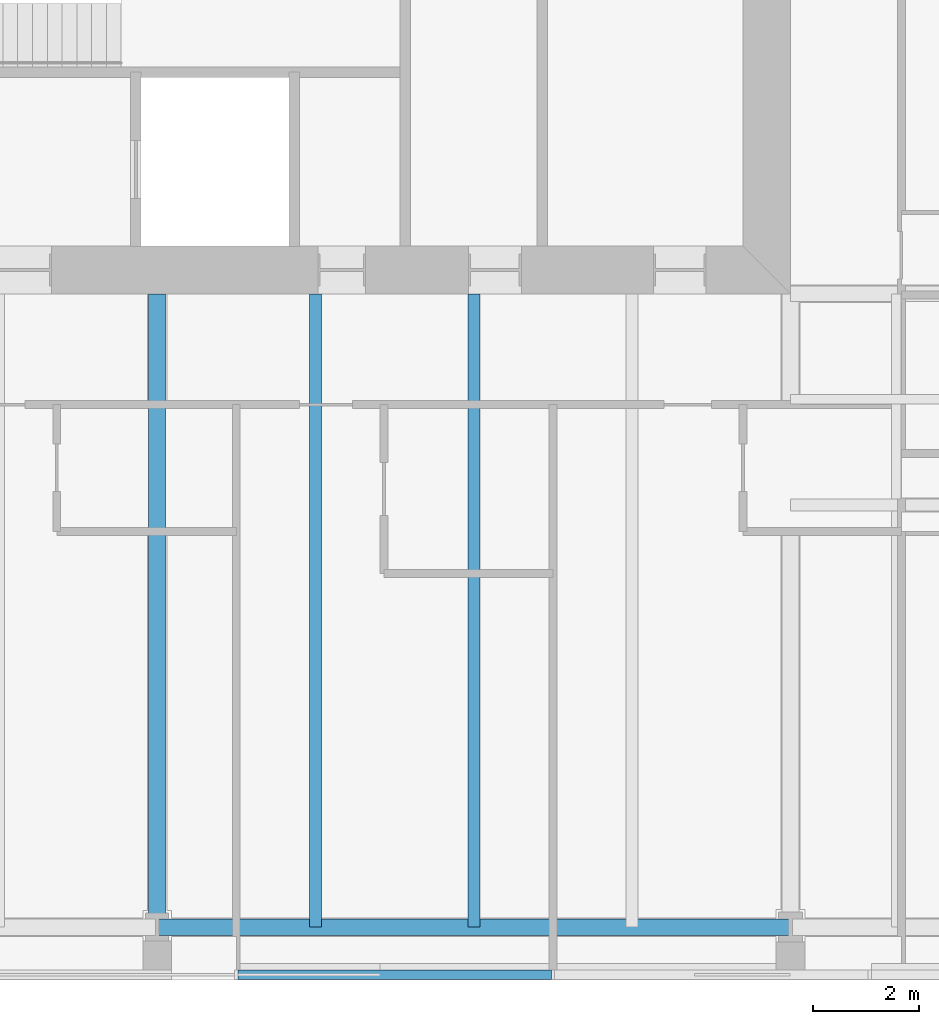
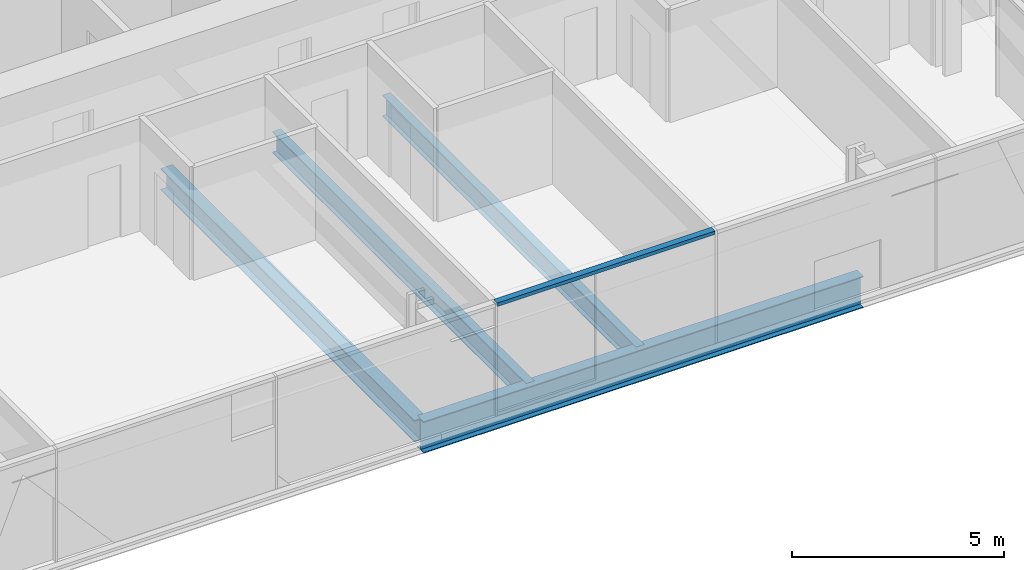
# One storey, part 3 of 18: 4 beams, 1 member, 1 element without a shape of its own.
"""IFC4 building model written with IfcOpenShell, lengths in metres."""

from ifc_helpers import new_model, si_unit, direction, frame, origin, origin_2d, place, context, subcontext, project, spatial, rectangle, i_section, extrude, material, material_profile, profile_set, type_object, element, aggregate, save


model = new_model("IFC4")

# Units and contexts
model_context = context("Model", 3, precision=1e-05, world=origin(), true_north=direction((0.0, 1.0)))
body_context = subcontext(model_context, "Body", "Model", "MODEL_VIEW")
ifc_project = project(units=[si_unit("LENGTHUNIT", "METRE"), si_unit("AREAUNIT", "SQUARE_METRE"), si_unit("VOLUMEUNIT", "CUBIC_METRE"), si_unit("PLANEANGLEUNIT", "RADIAN"), si_unit("MASSUNIT", "GRAM", prefix="KILO")], contexts=[model_context])

# Site, building, storey
site_placement = place(None, origin())
site = spatial("IfcSite", under=ifc_project, at=site_placement, CompositionType="ELEMENT")
building_placement = place(site_placement, origin())
building = spatial("IfcBuilding", under=site, at=building_placement, Name="Fenwick Lantern Interchange", CompositionType="ELEMENT")
storey_placement = place(building_placement, frame((0.0, 0.0, 262.800048828125)))
storey = spatial("IfcBuildingStorey", under=building, at=storey_placement, Name="L62", CompositionType="ELEMENT", Elevation=262.800048828125)

# Beams
ifc_material_1 = material(Name="Steel ASTM A992 Grade 50", Category="steel")
ifc_material_profile_1 = material_profile(ifc_material_1, i_section(OverallWidth=0.3046875, OverallDepth=0.911865234375, WebThickness=0.015869140625, FlangeThickness=0.02392578125, at=origin_2d()), Name="W36X150")
ifc_profile_set_1 = profile_set([ifc_material_profile_1], Name="Steel ASTM A992 Grade 50")
beam_type_1 = type_object("IfcBeamType", Name="EDGE BEAM W36X150", PredefinedType="SPANDREL", material=ifc_profile_set_1)
beam_1_placement = place(storey_placement, frame((25.0, 1.0, -0.60595703125), z_axis=(1.0, 0.0, 0.0), x_axis=(0.0, 1.0, 0.0)))
element("IfcBeam", 1, at=beam_1_placement, inside=storey, type_object=beam_type_1, Name="L62/FR/S/EB3", PredefinedType="SPANDREL", context=body_context, shape_type="SweptSolid", body=[
    extrude(i_section(OverallWidth=0.3046875, OverallDepth=0.911865234375, WebThickness=0.015869140625, FlangeThickness=0.02392578125, at=origin_2d()), origin(), (0.0, 0.0, 1.0), 12.0),
])
ifc_material_profile_2 = material_profile(ifc_material_1, i_section(OverallWidth=0.22900390625, OverallDepth=0.612060546875, WebThickness=0.011962890625, FlangeThickness=0.01953125, at=origin_2d()), Name="W24X84")
ifc_profile_set_2 = profile_set([ifc_material_profile_2], Name="Steel ASTM A992 Grade 50")
beam_type_2 = type_object("IfcBeamType", Name="FLOOR BEAM W24X84", PredefinedType="BEAM", material=ifc_profile_set_2)
for number, where, z_axis, x_axis, name in (
    (2, (28.0, 1.0, -0.4560546875), (0.0, 1.0, 0.0), (-1.0, 0.0, 0.0), "L62/FR/S/R06"),
    (3, (31.0, 1.0, -0.4560546875), (0.0, 1.0, 0.0), (-1.0, 0.0, 0.0), "L62/FR/S/R07"),
):
    element("IfcBeam", number, at=place(storey_placement, frame(where, z_axis=z_axis, x_axis=x_axis)), inside=storey, type_object=beam_type_2, Name=name, PredefinedType="BEAM", context=body_context, shape_type="SweptSolid", body=[
        extrude(i_section(OverallWidth=0.22900390625, OverallDepth=0.612060546875, WebThickness=0.011962890625, FlangeThickness=0.01953125, at=origin_2d()), origin(), (0.0, 0.0, 1.0), 12.0),
    ])

# Curtain wall, member
ifc_material_2 = material(Name="Aluminium curtain wall frame", Category="aluminium")
curtain_wall_type = type_object("IfcCurtainWallType", Name="HOTEL CURTAIN WALL", PredefinedType="USERDEFINED", material=ifc_material_2)
curtain_wall_placement = place(storey_placement, origin())
curtain_wall = element("IfcCurtainWall", 4, at=curtain_wall_placement, inside=storey, type_object=curtain_wall_type, Name="Hotel curtain wall 01", ObjectType="HOTEL CURTAIN WALL", PredefinedType="USERDEFINED")
ifc_material_3 = material(Name="Aluminium extrusion", Category="aluminium")
ifc_material_profile_3 = material_profile(ifc_material_3, rectangle(XDim=0.179931640625, YDim=0.10009765625, at=origin_2d()), Name="HOTEL CURTAIN WALL TRANSOM 100 X 180")
ifc_profile_set_3 = profile_set([ifc_material_profile_3], Name="Aluminium extrusion")
member_type = type_object("IfcMemberType", Name="HOTEL CURTAIN WALL TRANSOM 100 X 180", PredefinedType="MULLION", material=ifc_profile_set_3)
member_placement = place(storey_placement, frame((26.530029296875, 0.10009765625, 3.199951171875), z_axis=(1.0, 0.0, 0.0), x_axis=(0.0, 1.0, 0.0)))
member = element("IfcMember", 5, at=member_placement, type_object=member_type, Name="L62/CW/01/T04", PredefinedType="MULLION", context=body_context, shape_type="SweptSolid", body=[
    extrude(rectangle(XDim=0.179931640625, YDim=0.10009765625, at=origin_2d()), origin(), (0.0, 0.0, 1.0), 5.93994140625),
])
aggregate(curtain_wall, [member])

# Beam
ifc_material_profile_4 = material_profile(ifc_material_1, i_section(OverallWidth=0.32763671875, OverallDepth=0.622314453125, WebThickness=0.015380859375, FlangeThickness=0.0244140625, at=origin_2d()), Name="W24X131")
ifc_profile_set_4 = profile_set([ifc_material_profile_4], Name="Steel ASTM A992 Grade 50")
beam_type_3 = type_object("IfcBeamType", Name="MOMENT-CONNECTED GIRDER W24X131", PredefinedType="BEAM", material=ifc_profile_set_4)
beam_2_placement = place(storey_placement, frame((25.0, 1.0, -0.461181640625), z_axis=(0.0, 1.0, 0.0), x_axis=(-1.0, 0.0, 0.0)))
element("IfcBeam", 6, at=beam_2_placement, inside=storey, type_object=beam_type_3, Name="L62/FR/S/R05", PredefinedType="BEAM", context=body_context, shape_type="SweptSolid", body=[
    extrude(i_section(OverallWidth=0.32763671875, OverallDepth=0.622314453125, WebThickness=0.015380859375, FlangeThickness=0.0244140625, at=origin_2d()), origin(), (0.0, 0.0, 1.0), 12.0),
])

save(model, "model.ifc")
